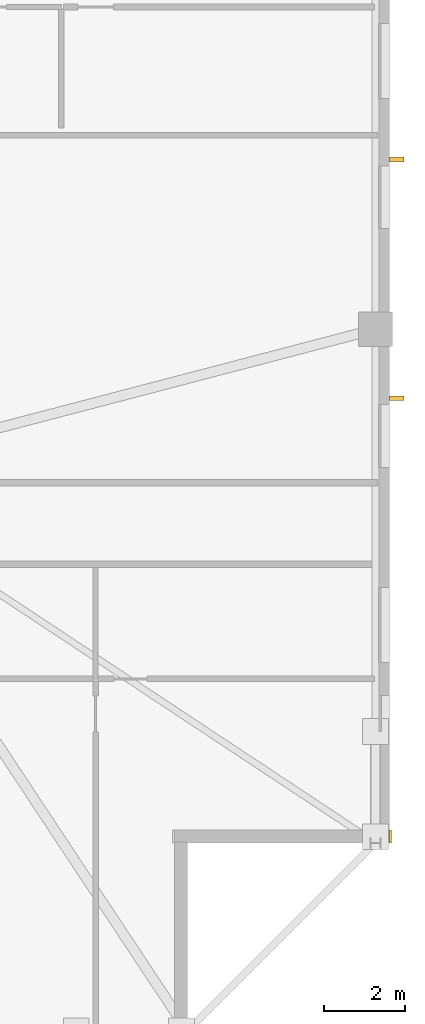
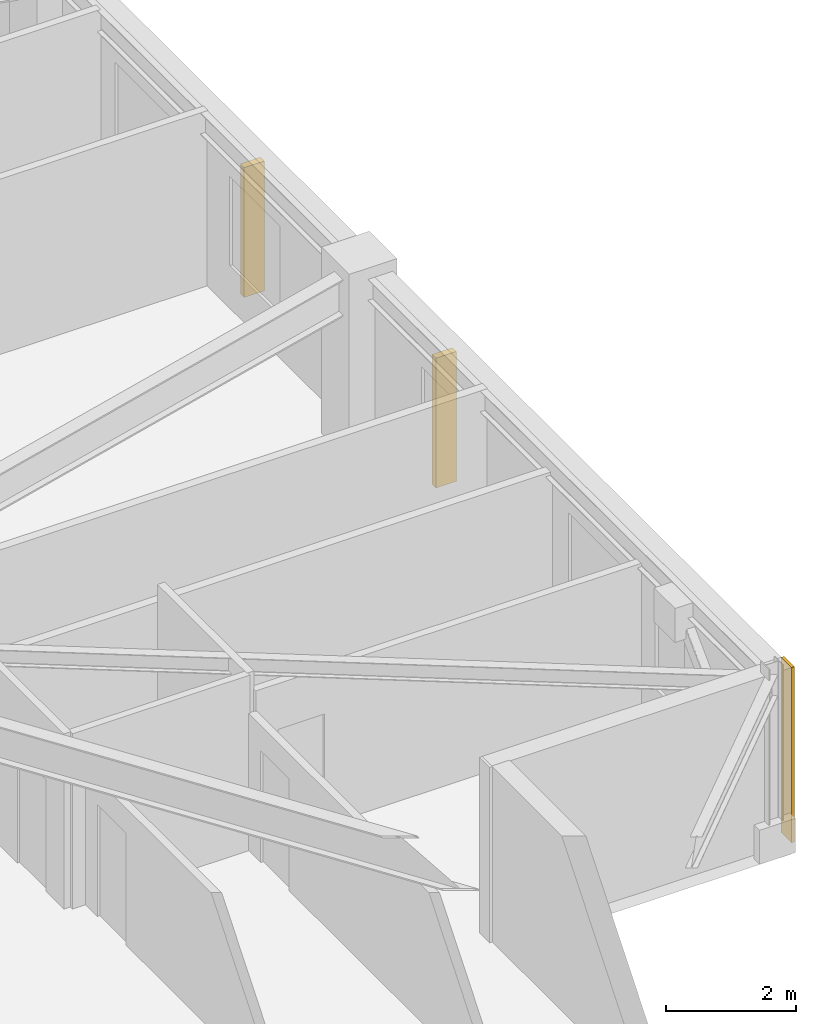
# One storey, part 15 of 17: 2 shading devices, 1 covering.
"""IFC4 building model written with IfcOpenShell, lengths in metres."""

import ifcopenshell
import ifcopenshell.guid

model = None  # the IFC model being written
_history = None  # IfcOwnerHistory: only IFC2X3 demands one
_inside = {}  # id of a spatial element -> (the spatial element, [elements in it])
_under = {}  # id of a project, library or spatial element -> (it, [spatial elements below it])
_declared = {}  # id of a project -> (the project, [libraries it declares])
_typed = {}  # id of a type object -> (the type object, [elements of that type])
_made_of = {}  # id of a material, layer set ... -> (it, [elements and type objects made of it])


def new_model(schema):
    """Start an empty IFC model of exactly this schema.

    Asked for "IFC4X3", IfcOpenShell would pick the latest addendum, in which some entities
    have other attributes; the version numbers below select the first issue.
    IFC2X3 requires an IfcOwnerHistory on every rooted entity: one is made here for all.
    """
    global model, _history
    if schema == "IFC4X3":
        model = ifcopenshell.file(schema_version=(4, 3, 0, 0))
    else:
        model = ifcopenshell.file(schema=schema)
    _inside.clear()
    _under.clear()
    _declared.clear()
    _typed.clear()
    _made_of.clear()
    _history = None
    if model.schema == "IFC2X3":
        org = make("IfcOrganization", Name="unknown")
        user = make(
            "IfcPersonAndOrganization",
            ThePerson=make("IfcPerson", FamilyName="unknown"),
            TheOrganization=org,
        )
        app = make(
            "IfcApplication",
            ApplicationDeveloper=org,
            Version="unknown",
            ApplicationFullName="unknown",
            ApplicationIdentifier="unknown",
        )
        _history = make(
            "IfcOwnerHistory",
            OwningUser=user,
            OwningApplication=app,
            ChangeAction="ADDED",
            CreationDate=0,
        )
    return model


def make(cls, **values):
    """One entity of the class cls with the attributes given. An attribute that is None is left unset."""
    return model.create_entity(
        cls, **{name: value for name, value in values.items() if value is not None}
    )


def rooted(cls, **values):
    """An entity with a GlobalId (a new one), such as an element, a storey or a relation."""
    return make(cls, GlobalId=ifcopenshell.guid.new(), OwnerHistory=_history, **values)


def si_unit(unit_type, name, prefix=None):
    """IfcSIUnit, for example si_unit("LENGTHUNIT", "METRE", prefix="MILLI")."""
    return make("IfcSIUnit", UnitType=unit_type, Prefix=prefix, Name=name)


def assignment(units):
    """IfcUnitAssignment: the units of a project."""
    return None if units is None else make("IfcUnitAssignment", Units=units)


def point(xyz):
    """IfcCartesianPoint."""
    return None if xyz is None else make("IfcCartesianPoint", Coordinates=xyz)


def direction(xyz):
    """IfcDirection."""
    return None if xyz is None else make("IfcDirection", DirectionRatios=xyz)


def frame(location, z_axis=None, x_axis=None):
    """IfcAxis2Placement3D, a coordinate frame: its origin and axes. An axis left out is left unset."""
    return make(
        "IfcAxis2Placement3D",
        Location=point(location),
        Axis=direction(z_axis),
        RefDirection=direction(x_axis),
    )


def frame_2d(location, x_axis=None):
    """IfcAxis2Placement2D, a coordinate frame in the plane: its origin and x axis."""
    return make(
        "IfcAxis2Placement2D", Location=point(location), RefDirection=direction(x_axis)
    )


def origin():
    """The frame at (0, 0, 0) with its axes left unset."""
    return frame((0.0, 0.0, 0.0))


def origin_2d():
    """The frame at (0, 0) in the plane with its x axis left unset."""
    return frame_2d((0.0, 0.0))


def place(relative_to, where):
    """IfcLocalPlacement: puts the frame where relative to a parent placement (None: the world)."""
    return make(
        "IfcLocalPlacement", PlacementRelTo=relative_to, RelativePlacement=where
    )


def context(
    kind, dimensions, precision=None, world=None, true_north=None, identifier=None
):
    """IfcGeometricRepresentationContext, for example the 3D "Model" context."""
    return make(
        "IfcGeometricRepresentationContext",
        ContextIdentifier=identifier,
        ContextType=kind,
        CoordinateSpaceDimension=dimensions,
        Precision=precision,
        WorldCoordinateSystem=world,
        TrueNorth=true_north,
    )


def subcontext(parent, identifier, kind, view, scale=None):
    """IfcGeometricRepresentationSubContext, for example "Body" below "Model"."""
    return make(
        "IfcGeometricRepresentationSubContext",
        ContextIdentifier=identifier,
        ContextType=kind,
        ParentContext=parent,
        TargetScale=scale,
        TargetView=view,
    )


def project(units=None, contexts=None):
    """IfcProject with its units and contexts."""
    return rooted(
        "IfcProject",
        Name="project",
        RepresentationContexts=contexts,
        UnitsInContext=assignment(units),
    )


def spatial(cls, under=None, at=None, **own):
    """A site, building, storey or space (cls), placed at a placement, below another one or the project."""
    s = rooted(cls, ObjectPlacement=at, **own)
    if under is not None:
        _under.setdefault(under.id(), (under, []))[1].append(s)
    return s


def profile(cls, at=None, kind="AREA", **sizes):
    """A parametric profile (cls). Its sizes go by their IFC names, for example OverallWidth=200.0."""
    return make(cls, ProfileType=kind, Position=at, **sizes)


def rectangle(**sizes):
    """IfcRectangleProfileDef."""
    return profile("IfcRectangleProfileDef", **sizes)


def extrude(swept, where, along, depth):
    """IfcExtrudedAreaSolid: the profile swept, set in the frame where, extruded along a direction by depth."""
    return make(
        "IfcExtrudedAreaSolid",
        SweptArea=swept,
        Position=where,
        ExtrudedDirection=direction(along),
        Depth=depth,
    )


def shape(context_of_items, identifier, shape_type, items):
    """IfcShapeRepresentation: the items that make up one representation, for example the "Body"."""
    return make(
        "IfcShapeRepresentation",
        ContextOfItems=context_of_items,
        RepresentationIdentifier=identifier,
        RepresentationType=shape_type,
        Items=items,
    )


def material(Name=None, Category=None):
    """IfcMaterial."""
    return make("IfcMaterial", Name=Name, Category=Category)


def layer(
    of_material, thickness, ventilated=None, Name=None, Category=None, Priority=None
):
    """IfcMaterialLayer: one layer of a wall or slab, of a material (None: an air gap)."""
    return make(
        "IfcMaterialLayer",
        Material=of_material,
        LayerThickness=thickness,
        IsVentilated=ventilated,
        Name=Name,
        Category=Category,
        Priority=Priority,
    )


def layer_set(layers, Name=None):
    """IfcMaterialLayerSet."""
    return make("IfcMaterialLayerSet", MaterialLayers=layers, LayerSetName=Name)


def made_of(thing, what):
    """Note that an element or type object is made of a material, layer set ...; save() writes the relation."""
    if what is not None:
        _made_of.setdefault(what.id(), (what, []))[1].append(thing)
    return thing


def type_object(cls, material=None, **own):
    """A type object (cls), such as IfcWallType, which elements share."""
    return made_of(rooted(cls, **own), material)


def element(
    cls,
    number,
    at=None,
    inside=None,
    cuts=None,
    type_object=None,
    material=None,
    context=None,
    identifier="Body",
    shape_type=None,
    held_by="IfcProductDefinitionShape",
    body=None,
    shapes=None,
    **own,
):
    """One element of the class cls, such as IfcWall. Its Tag is "e" and its number.

    at: its placement. inside: the storey or other place that contains it. cuts: it is an
    opening in that element (IfcRelVoidsElement). A single representation is given by context,
    identifier, shape_type and body (its items); several are given by shapes. held_by: the class
    of the entity that holds the representations. save() writes the other relations.
    """
    e = rooted(cls, Tag="e%d" % number, ObjectPlacement=at, **own)
    if body is not None:
        shapes = [shape(context, identifier, shape_type, body)]
    if shapes is not None:
        e.Representation = make(held_by, Representations=shapes)
    if inside is not None:
        _inside.setdefault(inside.id(), (inside, []))[1].append(e)
    if cuts is not None:
        rooted(
            "IfcRelVoidsElement", RelatingBuildingElement=cuts, RelatedOpeningElement=e
        )
    if type_object is not None:
        _typed.setdefault(type_object.id(), (type_object, []))[1].append(e)
    return made_of(e, material)


def aggregate(whole, parts):
    """IfcRelAggregates: a whole, such as a stair, and the parts it consists of."""
    return rooted("IfcRelAggregates", RelatingObject=whole, RelatedObjects=parts)


def save(model, path):
    """Write the relations noted so far, then the file.

    IfcRelAggregates (storeys below a building ...), IfcRelContainedInSpatialStructure (elements
    in a storey), IfcRelDefinesByType, IfcRelAssociatesMaterial and IfcRelDeclares: one each for
    every whole, place, type object, material and project.
    """
    for whole, parts in _under.values():
        aggregate(whole, parts)
    for where, things in _inside.values():
        rooted(
            "IfcRelContainedInSpatialStructure",
            RelatedElements=things,
            RelatingStructure=where,
        )
    for kind, things in _typed.values():
        rooted("IfcRelDefinesByType", RelatedObjects=things, RelatingType=kind)
    for what, things in _made_of.values():
        rooted("IfcRelAssociatesMaterial", RelatedObjects=things, RelatingMaterial=what)
    for by, libraries in _declared.values():
        rooted("IfcRelDeclares", RelatingContext=by, RelatedDefinitions=libraries)
    model.write(path)


model = new_model("IFC4")

# Units and contexts
model_context = context("Model", 3, precision=1e-05, world=origin(), true_north=direction((0.0, 1.0)))
body_context = subcontext(model_context, "Body", "Model", "MODEL_VIEW")
ifc_project = project(units=[si_unit("LENGTHUNIT", "METRE"), si_unit("AREAUNIT", "SQUARE_METRE"), si_unit("VOLUMEUNIT", "CUBIC_METRE"), si_unit("PLANEANGLEUNIT", "RADIAN"), si_unit("MASSUNIT", "GRAM", prefix="KILO")], contexts=[model_context])

# Site, building, storey
site_placement = place(None, origin())
site = spatial("IfcSite", under=ifc_project, at=site_placement, CompositionType="ELEMENT")
building_placement = place(site_placement, origin())
building = spatial("IfcBuilding", under=site, at=building_placement, Name="Cairnveth Concourse Tower", CompositionType="ELEMENT")
storey_placement = place(building_placement, frame((0.0, 0.0, 227.0)))
storey = spatial("IfcBuildingStorey", under=building, at=storey_placement, Name="L62", CompositionType="ELEMENT", Elevation=227.0)

# Covering
ifc_material_1 = material(Name="Dressed Melbourne Bluestone Cladding", Category="masonry")
ifc_layer = layer(ifc_material_1, 0.050048828125)
ifc_layer_set = layer_set([ifc_layer], Name="Dressed Melbourne Bluestone Cladding")
covering_type = type_object("IfcCoveringType", Name="DRESSED BLUESTONE PLINTH CLADDING 50", PredefinedType="CLADDING", material=ifc_layer_set)
covering_placement = place(storey_placement, frame((74.52001953125, 21.820068359375, 0.0), z_axis=(0.0, 0.0, 1.0), x_axis=(0.0, -1.0, 0.0)))
element("IfcCovering", 1, at=covering_placement, inside=storey, type_object=covering_type, Name="Melbourne Bluestone Corner Quoin L62-934", PredefinedType="CLADDING", context=body_context, shape_type="SweptSolid", body=[
    extrude(rectangle(XDim=0.320068359375, YDim=0.050048828125, at=frame_2d((0.16015625, 0.0))), origin(), (0.0, 0.0, 1.0), 3.2900390625),
])

# Shading devices
ifc_material_2 = material(Name="Architectural Bronze Anodised Aluminium 6063-T6", Category="aluminium")
shading_device_type = type_object("IfcShadingDeviceType", Name="GOTHIC BRONZE VERTICAL LANCET FIN", PredefinedType="USERDEFINED", material=ifc_material_2)
for number, where, z_axis, x_axis, name in (
    (2, (74.675048828125, 38.396484375, 0.030029296875), (0.0, 0.0, 1.0), (0.0, 1.0, 0.0), "Gothic Bronze Vertical Fin L62-6-5"),
    (3, (74.675048828125, 32.495849609375, 0.030029296875), (0.0, 0.0, 1.0), (0.0, 1.0, 0.0), "Gothic Bronze Vertical Fin L62-6-7"),
):
    element("IfcShadingDevice", number, at=place(storey_placement, frame(where, z_axis=z_axis, x_axis=x_axis)), inside=storey, type_object=shading_device_type, Name=name, ObjectType="VERTICAL FIN", PredefinedType="USERDEFINED", context=body_context, shape_type="SweptSolid", body=[
        extrude(rectangle(XDim=0.1201171875, YDim=0.360107421875, at=origin_2d()), origin(), (0.0, 0.0, 1.0), 2.43798828125),
    ])

save(model, "model.ifc")
